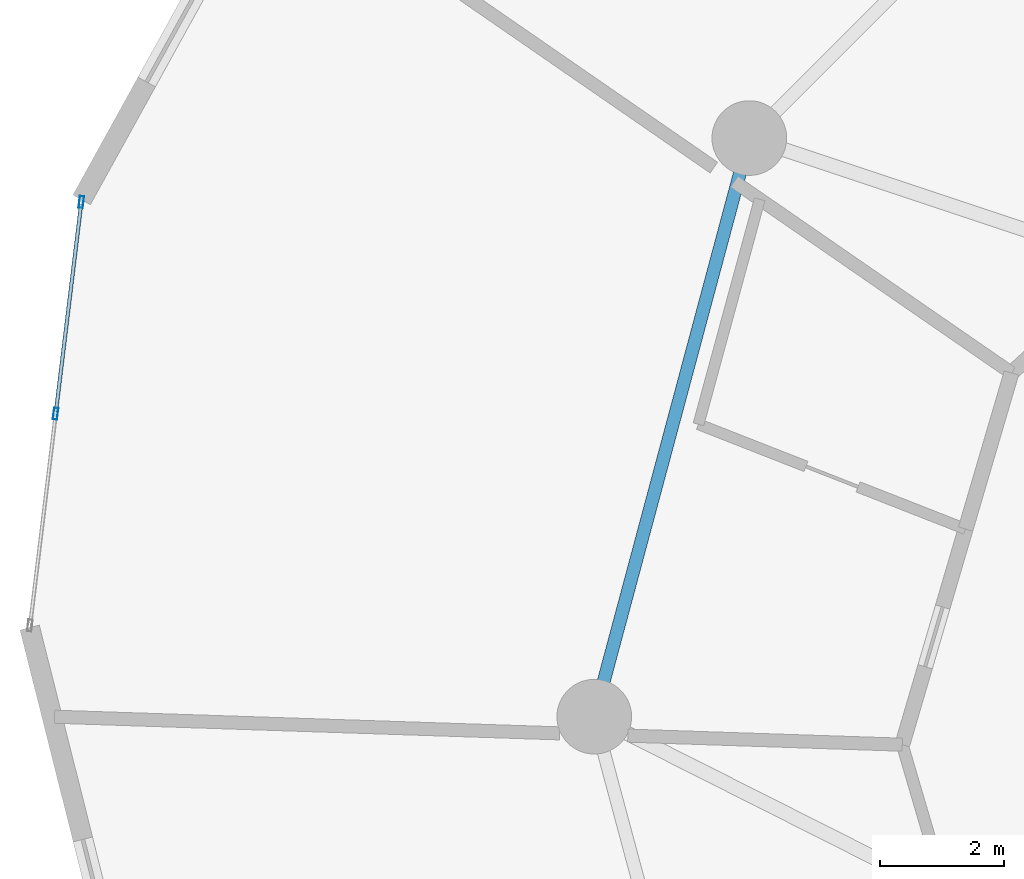
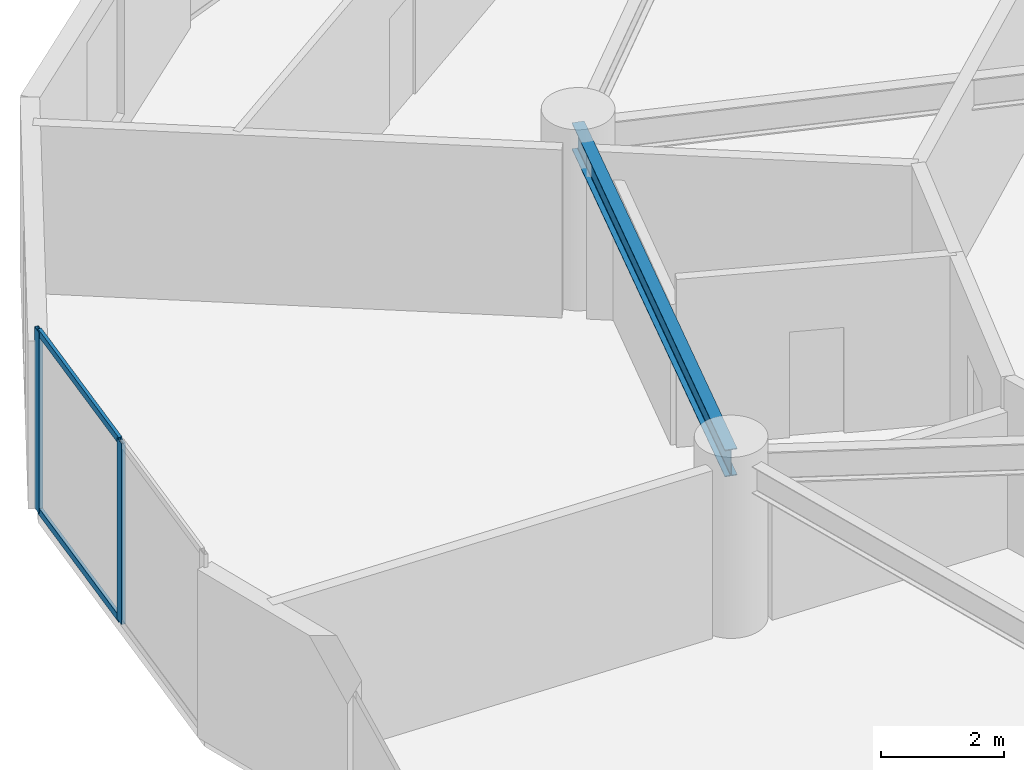
# One storey, part 8 of 26: 4 members, 1 beam, 1 element without a shape of its own.
"""IFC4 building model written with IfcOpenShell, lengths in metres."""

from ifc_helpers import new_model, si_unit, direction, frame, origin, origin_2d, place, context, subcontext, project, spatial, hollow_rectangle, i_section, extrude, source, transform, mapped, material, layer, layer_set, material_profile, profile_set, type_object, element, aggregate, save


model = new_model("IFC4")

# Units and contexts
model_context = context("Model", 3, precision=1e-05, world=origin(), true_north=direction((0.0, 1.0)))
body_context = subcontext(model_context, "Body", "Model", "MODEL_VIEW")
ifc_project = project(units=[si_unit("LENGTHUNIT", "METRE"), si_unit("AREAUNIT", "SQUARE_METRE"), si_unit("VOLUMEUNIT", "CUBIC_METRE"), si_unit("PLANEANGLEUNIT", "RADIAN"), si_unit("MASSUNIT", "GRAM", prefix="KILO")], contexts=[model_context])

# Site, building, storey
site_placement = place(None, origin())
site = spatial("IfcSite", under=ifc_project, at=site_placement, CompositionType="ELEMENT")
building_placement = place(site_placement, origin())
building = spatial("IfcBuilding", under=site, at=building_placement, Name="Solvirekh Grand Hotel", CompositionType="ELEMENT")
storey_placement = place(building_placement, frame((0.0, 0.0, 68.0)))
storey = spatial("IfcBuildingStorey", under=building, at=storey_placement, Name="L16", CompositionType="ELEMENT", Elevation=68.0)

# Beam
ifc_material_1 = material(Name="Steel S355", Category="steel")
ifc_material_profile_1 = material_profile(ifc_material_1, i_section(OverallWidth=0.208984375, OverallDepth=0.532958984375, WebThickness=0.010009765625, FlangeThickness=0.014892578125, FilletRadius=0.013916015625, at=origin_2d()), Name="W530X92")
ifc_profile_set_1 = profile_set([ifc_material_profile_1], Name="Steel S355")
beam_type = type_object("IfcBeamType", Name="Spandrel_Ring_W530", PredefinedType="SPANDREL", material=ifc_profile_set_1)
beam_placement = place(storey_placement, frame((-16.10791015625, 9.300048828125, 3.073974609375), z_axis=(-0.258842973314, -0.965919414426, 0.0), x_axis=(0.965919414426, -0.258842973314, 0.0)))
element("IfcBeam", 1, at=beam_placement, inside=storey, type_object=beam_type, Name="L16 perimeter spandrel beam 6", PredefinedType="SPANDREL", context=body_context, shape_type="SweptSolid", body=[
    extrude(i_section(OverallWidth=0.208984375, OverallDepth=0.532958984375, WebThickness=0.010009765625, FlangeThickness=0.014892578125, FilletRadius=0.013916015625, at=origin_2d()), origin(), (0.0, 0.0, 1.0), 9.628173828125),
])

# Curtain wall, members
ifc_material_2 = material(Name="Anodized Bronze Aluminium 6063-T6", Category="aluminium")
ifc_layer = layer(ifc_material_2, 0.18994140625)
ifc_layer_set = layer_set([ifc_layer], Name="Anodized Bronze Aluminium 6063-T6")
curtain_wall_type = type_object("IfcCurtainWallType", Name="CW_Sys2_LowZoneFlushBronzeCW", PredefinedType="NOTDEFINED", material=ifc_layer_set)
curtain_wall_placement = place(storey_placement, origin())
curtain_wall = element("IfcCurtainWall", 2, at=curtain_wall_placement, inside=storey, type_object=curtain_wall_type, Name="L16 unitised bronze-glass curtain wall CW-L16-C11", PredefinedType="NOTDEFINED")
ifc_material_profile_2 = material_profile(ifc_material_2, hollow_rectangle(XDim=0.070068359375, YDim=0.18994140625, WallThickness=0.0048828125, at=origin_2d()), Name="ALU RHS 190X70X5")
ifc_profile_set_2 = profile_set([ifc_material_profile_2], Name="Anodized Bronze Aluminium 6063-T6")
member_type_1 = type_object("IfcMemberType", Name="CWMullion_Sys2", PredefinedType="MULLION", material=ifc_profile_set_2)
shared_shape_1 = source(origin(), body_context, "Body", "SweptSolid", [
    extrude(hollow_rectangle(XDim=0.070068359375, YDim=0.18994140625, WallThickness=0.0048828125, at=origin_2d()), origin(), (0.0, 0.0, 1.0), 3.60009765625),
])
member_1_placement = place(storey_placement, frame((-26.84423828125, 8.273193359375, 0.0), z_axis=(0.0, 0.0, 1.0), x_axis=(0.992707104248, -0.12055125539, 0.0)))
member_1 = element("IfcMember", 3, at=member_1_placement, type_object=member_type_1, Name="U02 mullion 1", PredefinedType="MULLION", context=body_context, shape_type="MappedRepresentation", body=[
    mapped(shared_shape_1, transform((0.0, 0.0, 0.0), x_axis=(1.0, 0.0, 0.0), y_axis=(0.0, 1.0, 0.0), z_axis=(0.0, 0.0, 1.0), scale=1.0)),
])
member_2_placement = place(storey_placement, frame((-27.257568359375, 4.8701171875, 0.0), z_axis=(0.0, 0.0, 1.0), x_axis=(0.992707104248, -0.12055125539, 0.0)))
member_2 = element("IfcMember", 4, at=member_2_placement, type_object=member_type_1, Name="U02 mullion 2", PredefinedType="MULLION", context=body_context, shape_type="MappedRepresentation", body=[
    mapped(shared_shape_1, transform((0.0, 0.0, 0.0), x_axis=(1.0, 0.0, 0.0), y_axis=(0.0, 1.0, 0.0), z_axis=(0.0, 0.0, 1.0), scale=1.0)),
])
ifc_material_profile_3 = material_profile(ifc_material_2, hollow_rectangle(XDim=0.06005859375, YDim=0.135009765625, WallThickness=0.00390625, at=origin_2d()), Name="ALU RHS 135X60X4")
ifc_profile_set_3 = profile_set([ifc_material_profile_3], Name="Anodized Bronze Aluminium 6063-T6")
member_type_2 = type_object("IfcMemberType", Name="CWTransom_Sys2", PredefinedType="USERDEFINED", material=ifc_profile_set_3)
shared_shape_2 = source(origin(), body_context, "Body", "SweptSolid", [
    extrude(hollow_rectangle(XDim=0.06005859375, YDim=0.135009765625, WallThickness=0.00390625, at=origin_2d()), origin(), (0.0, 0.0, 1.0), 3.358154296875),
])
member_3_placement = place(storey_placement, frame((-26.848388671875, 8.238525390625, 0.030029296875), z_axis=(-0.120535449363, -0.992709023555, 0.0), x_axis=(0.992709023555, -0.120535449363, 0.0)))
member_3 = element("IfcMember", 5, at=member_3_placement, type_object=member_type_2, Name="U02 transom 1.1", ObjectType="TRANSOM", PredefinedType="USERDEFINED", context=body_context, shape_type="MappedRepresentation", body=[
    mapped(shared_shape_2, transform((0.0, 0.0, 0.0), x_axis=(1.0, 0.0, 0.0), y_axis=(0.0, 1.0, 0.0), z_axis=(0.0, 0.0, 1.0), scale=1.0)),
])
member_4_placement = place(storey_placement, frame((-26.848388671875, 8.238525390625, 3.570068359375), z_axis=(-0.120535449363, -0.992709023555, 0.0), x_axis=(0.992709023555, -0.120535449363, 0.0)))
member_4 = element("IfcMember", 6, at=member_4_placement, type_object=member_type_2, Name="U02 transom 1.2", ObjectType="TRANSOM", PredefinedType="USERDEFINED", context=body_context, shape_type="MappedRepresentation", body=[
    mapped(shared_shape_2, transform((0.0, 0.0, 0.0), x_axis=(1.0, 0.0, 0.0), y_axis=(0.0, 1.0, 0.0), z_axis=(0.0, 0.0, 1.0), scale=1.0)),
])
aggregate(curtain_wall, [member_1, member_2, member_3, member_4])

save(model, "model.ifc")
